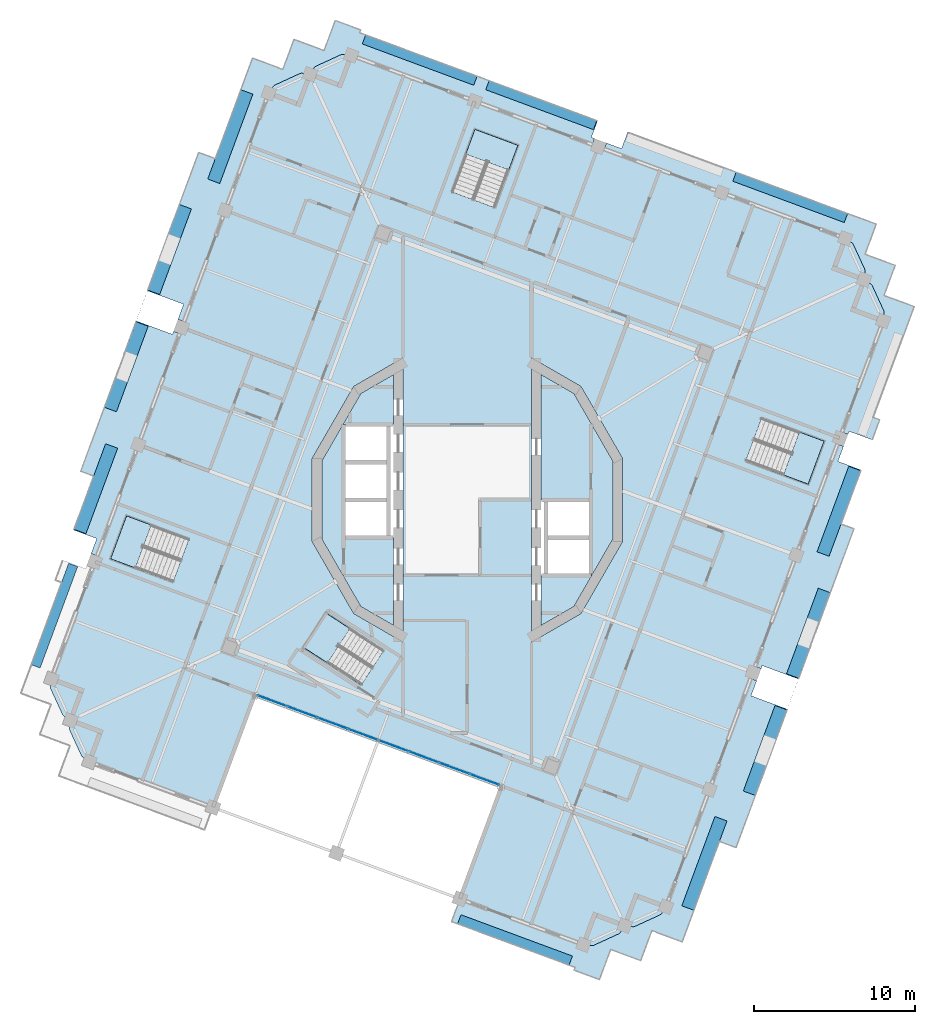
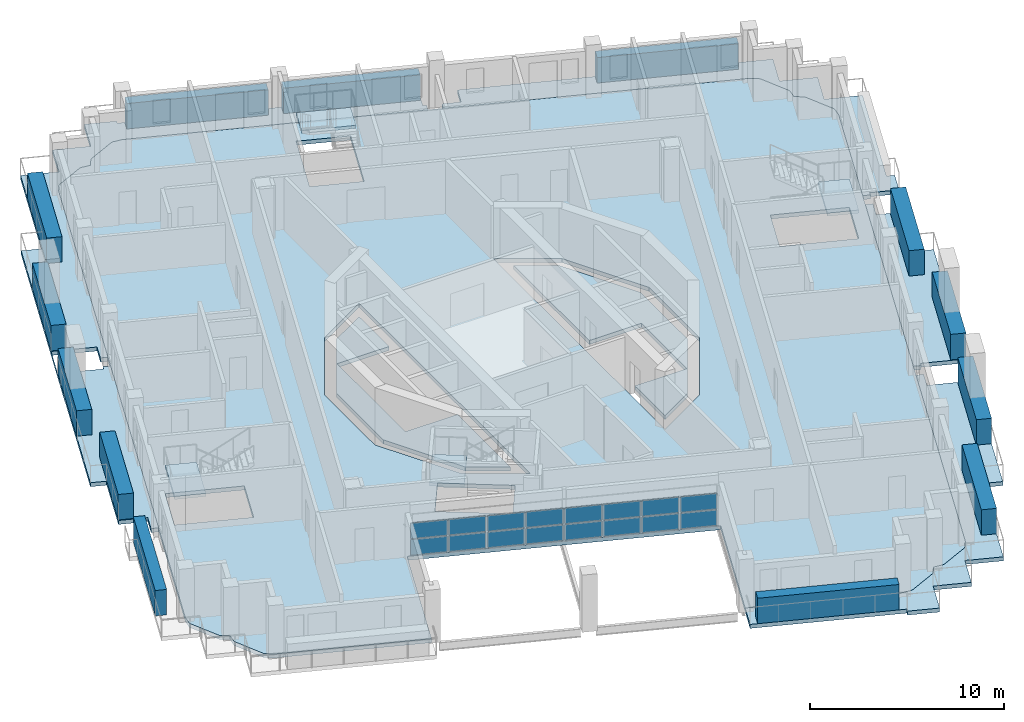
# One storey, part 4 of 19: 29 plates, 10 slabs, 5 elements without a shape of their own.
"""IFC4 building model written with IfcOpenShell, lengths in metres."""

from ifc_helpers import new_model, si_unit, direction, frame, origin, origin_2d, place, context, subcontext, project, spatial, polyline, rectangle, outline, extrude, material, layer, layer_set, type_object, element, aggregate, save


model = new_model("IFC4")

# Units and contexts
model_context = context("Model", 3, precision=1e-05, world=origin(), true_north=direction((0.0, 1.0)))
body_context = subcontext(model_context, "Body", "Model", "MODEL_VIEW")
ifc_project = project(units=[si_unit("LENGTHUNIT", "METRE"), si_unit("AREAUNIT", "SQUARE_METRE"), si_unit("VOLUMEUNIT", "CUBIC_METRE"), si_unit("PLANEANGLEUNIT", "RADIAN"), si_unit("MASSUNIT", "GRAM", prefix="KILO")], contexts=[model_context])

# Site, building, storey
site_placement = place(None, origin())
site = spatial("IfcSite", under=ifc_project, at=site_placement, CompositionType="ELEMENT")
building_placement = place(site_placement, origin())
building = spatial("IfcBuilding", under=site, at=building_placement, Name="Cantera Rosa Tower", CompositionType="ELEMENT")
storey_placement = place(building_placement, frame((0.0, 0.0, 320.5)))
storey = spatial("IfcBuildingStorey", under=building, at=storey_placement, Name="L71", CompositionType="ELEMENT", Elevation=320.5)

# Slabs
ifc_material_1 = material(Name="Concrete C35/45", Category="concrete")
ifc_layer_1 = layer(ifc_material_1, 0.25)
ifc_layer_set_1 = layer_set([ifc_layer_1], Name="COMPOSITE FLOOR SLAB 250 C35/45")
slab_type_1 = type_object("IfcSlabType", Name="COMPOSITE FLOOR SLAB 250 C35/45", PredefinedType="FLOOR", material=ifc_layer_set_1)
slab_1_placement = place(storey_placement, frame((0.0, 0.0, -0.25)))
element("IfcSlab", 1, at=slab_1_placement, inside=storey, type_object=slab_type_1, Name="SLAB L71 floor 1", PredefinedType="FLOOR", context=body_context, shape_type="SweptSolid", body=[
    extrude(outline(polyline([(-7.699951171875, -2.35009765625), (-4.60009765625, -2.35009765625), (-4.60009765625, -7.804931640625), (-6.6318359375, -6.6318359375), (-9.059326171875, -2.427490234375), (-9.059326171875, 2.427490234375), (-6.6318359375, 6.6318359375), (-4.60009765625, 7.804931640625), (-4.60009765625, 4.699951171875), (-7.699951171875, 4.699951171875), (-7.699951171875, 2.35009765625), (-7.699951171875, 0.0), (-7.699951171875, -2.35009765625)])), origin(), (0.0, 0.0, 1.0), 0.25),
])
slab_2_placement = place(storey_placement, frame((0.0, 0.0, -0.25)))
element("IfcSlab", 2, at=slab_2_placement, inside=storey, type_object=slab_type_1, Name="SLAB L71 floor 2", PredefinedType="FLOOR", context=body_context, shape_type="SweptSolid", body=[
    extrude(outline(polyline([(-0.45947265625, -24.838134765625), (2.146728515625, -17.805419921875), (-13.2314453125, -12.106689453125), (-15.83740234375, -19.139404296875), (-23.526611328125, -16.2900390625), (-23.919677734375, -16.031494140625), (-23.944091796875, -16.014892578125), (-23.966552734375, -15.99609375), (-23.987060546875, -15.974853515625), (-24.005615234375, -15.951904296875), (-24.021484375, -15.92724609375), (-24.03515625, -15.901123046875), (-24.743408203125, -14.35888671875), (-24.75439453125, -14.331787109375), (-24.7626953125, -14.303466796875), (-24.76806640625, -14.2744140625), (-24.7705078125, -14.2451171875), (-24.770263671875, -14.2158203125), (-24.76708984375, -14.186279296875), (-24.706787109375, -13.7197265625), (-25.10009765625, -13.461181640625), (-25.12451171875, -13.444580078125), (-25.14697265625, -13.42578125), (-25.16748046875, -13.404541015625), (-25.18603515625, -13.381591796875), (-25.201904296875, -13.35693359375), (-25.215576171875, -13.330810546875), (-25.923828125, -11.788818359375), (-25.934814453125, -11.76123046875), (-25.943115234375, -11.733154296875), (-25.948486328125, -11.7041015625), (-25.950927734375, -11.6748046875), (-25.95068359375, -11.6455078125), (-25.947509765625, -11.6162109375), (-25.88720703125, -11.1494140625), (-12.733154296875, 24.347412109375), (-12.370361328125, 25.32666015625), (-12.11181640625, 25.7197265625), (-12.09521484375, 25.744140625), (-12.076171875, 25.7666015625), (-12.05517578125, 25.787353515625), (-12.0322265625, 25.8056640625), (-12.007568359375, 25.82177734375), (-11.9814453125, 25.835205078125), (-10.439208984375, 26.543701171875), (-10.411865234375, 26.554443359375), (-10.383544921875, 26.562744140625), (-10.354736328125, 26.568115234375), (-10.325439453125, 26.57080078125), (-10.2958984375, 26.5703125), (-10.2666015625, 26.567138671875), (-9.800048828125, 26.507080078125), (-9.54150390625, 26.900146484375), (-9.52490234375, 26.924560546875), (-9.505859375, 26.947021484375), (-9.48486328125, 26.9677734375), (-9.4619140625, 26.986083984375), (-9.437255859375, 27.002197265625), (-9.4111328125, 27.015625), (-7.868896484375, 27.72412109375), (-7.841552734375, 27.735107421875), (-7.813232421875, 27.7431640625), (-7.784423828125, 27.74853515625), (-7.7548828125, 27.751220703125), (-7.7255859375, 27.750732421875), (-7.6962890625, 27.74755859375), (-7.2294921875, 27.6875), (-6.25048828125, 27.32470703125), (23.526611328125, 16.2900390625), (23.919677734375, 16.031494140625), (23.944091796875, 16.014892578125), (23.966552734375, 15.99609375), (23.987060546875, 15.974853515625), (24.005615234375, 15.951904296875), (24.021484375, 15.92724609375), (24.03515625, 15.901123046875), (24.743408203125, 14.35888671875), (24.75439453125, 14.331787109375), (24.7626953125, 14.303466796875), (24.76806640625, 14.2744140625), (24.7705078125, 14.2451171875), (24.770263671875, 14.2158203125), (24.76708984375, 14.186279296875), (24.706787109375, 13.7197265625), (25.10009765625, 13.461181640625), (25.12451171875, 13.444580078125), (25.14697265625, 13.42578125), (25.16748046875, 13.404541015625), (25.18603515625, 13.381591796875), (25.201904296875, 13.35693359375), (25.215576171875, 13.330810546875), (25.923828125, 11.788818359375), (25.934814453125, 11.76123046875), (25.943115234375, 11.733154296875), (25.948486328125, 11.7041015625), (25.950927734375, 11.6748046875), (25.95068359375, 11.6455078125), (25.947509765625, 11.6162109375), (25.88720703125, 11.1494140625), (12.733154296875, -24.347412109375), (12.370361328125, -25.32666015625), (12.11181640625, -25.7197265625), (12.09521484375, -25.744140625), (12.076171875, -25.7666015625), (12.05517578125, -25.787353515625), (12.0322265625, -25.8056640625), (12.007568359375, -25.82177734375), (11.9814453125, -25.835205078125), (10.439208984375, -26.543701171875), (10.411865234375, -26.554443359375), (10.383544921875, -26.562744140625), (10.354736328125, -26.568115234375), (10.325439453125, -26.57080078125), (10.2958984375, -26.5703125), (10.2666015625, -26.567138671875), (9.800048828125, -26.507080078125), (9.54150390625, -26.900146484375), (9.52490234375, -26.924560546875), (9.505859375, -26.947021484375), (9.48486328125, -26.9677734375), (9.4619140625, -26.986083984375), (9.437255859375, -27.002197265625), (9.4111328125, -27.015625), (7.868896484375, -27.72412109375), (7.841552734375, -27.735107421875), (7.813232421875, -27.7431640625), (7.784423828125, -27.74853515625), (7.7548828125, -27.751220703125), (7.7255859375, -27.750732421875), (7.6962890625, -27.74755859375), (7.2294921875, -27.6875), (6.25048828125, -27.32470703125), (-0.45947265625, -24.838134765625)]), holes=[polyline([(-5.2158203125, -9.368408203125), (-8.581298828125, -7.1826171875), (-9.97021484375, -9.3212890625), (-6.6044921875, -11.507080078125), (-5.2158203125, -9.368408203125)]), polyline([(-17.335693359375, -2.427490234375), (-21.2158203125, -0.989501953125), (-22.206298828125, -3.662109375), (-18.325927734375, -5.099853515625), (-17.335693359375, -2.427490234375)]), polyline([(-7.071044921875, 7.071044921875), (-9.6591796875, 2.588134765625), (-9.6591796875, -2.588134765625), (-7.071044921875, -7.071044921875), (-4.0, -8.843994140625), (-4.0, 8.843994140625), (-7.071044921875, 7.071044921875)]), polyline([(7.071044921875, -7.071044921875), (9.6591796875, -2.588134765625), (9.6591796875, 2.588134765625), (7.071044921875, 7.071044921875), (4.0, 8.843994140625), (4.0, -8.843994140625), (7.071044921875, -7.071044921875)]), polyline([(21.2158203125, 0.989501953125), (22.206298828125, 3.662109375), (18.325927734375, 5.099853515625), (17.335693359375, 2.427490234375), (21.2158203125, 0.989501953125)]), polyline([(1.70654296875, 18.203369140625), (3.14453125, 22.08349609375), (0.47216796875, 23.07373046875), (-0.9658203125, 19.193603515625), (1.70654296875, 18.203369140625)])]), origin(), (0.0, 0.0, 1.0), 0.25),
])
slab_3_placement = place(storey_placement, frame((0.0, 0.0, -0.25)))
element("IfcSlab", 3, at=slab_3_placement, inside=storey, type_object=slab_type_1, Name="SLAB L71 floor 3", PredefinedType="FLOOR", context=body_context, shape_type="SweptSolid", body=[
    extrude(outline(polyline([(7.699951171875, -2.35009765625), (7.699951171875, 0.0), (4.60009765625, 0.0), (4.60009765625, 7.804931640625), (6.6318359375, 6.6318359375), (9.059326171875, 2.427490234375), (9.059326171875, -2.427490234375), (6.6318359375, -6.6318359375), (4.60009765625, -7.804931640625), (4.60009765625, -4.699951171875), (7.699951171875, -4.699951171875), (7.699951171875, -2.35009765625)])), origin(), (0.0, 0.0, 1.0), 0.25),
])

# Curtain wall, plates
ifc_material_2 = material(Name="Aluminium frame with clear glass", Category="aluminium")
curtain_wall_type = type_object("IfcCurtainWallType", Name="CW1 TERRACE POCKET GLAZING", PredefinedType="NOTDEFINED", material=ifc_material_2)
curtain_wall_placement = place(storey_placement, origin())
curtain_wall = element("IfcCurtainWall", 4, at=curtain_wall_placement, inside=storey, type_object=curtain_wall_type, Name="CW1 CW1", PredefinedType="NOTDEFINED")
ifc_material_3 = material(Name="Aluminium frame with clear glass", Category="aluminium")
ifc_layer_2 = layer(ifc_material_3, 0.028076171875)
ifc_layer_set_2 = layer_set([ifc_layer_2], Name="CW-PANEL POCKET")
plate_type_1 = type_object("IfcPlateType", Name="CW-PANEL POCKET", PredefinedType="CURTAIN_PANEL", material=ifc_layer_set_2)
plate_1_placement = place(storey_placement, frame((-12.153564453125, -12.506103515625, 0.06005859375), z_axis=(0.0, 0.0, 1.0), x_axis=(0.937686936924, -0.347481234489, 0.0)))
plate_1 = element("IfcPlate", 5, at=plate_1_placement, type_object=plate_type_1, Name="CW1 panel 1.1", PredefinedType="CURTAIN_PANEL", context=body_context, shape_type="SweptSolid", body=[
    extrude(rectangle(XDim=1.9287109375, YDim=0.028076171875, at=origin_2d()), origin(), (0.0, 0.0, 1.0), 0.97900390625),
])
plate_2_placement = place(storey_placement, frame((-12.153564453125, -12.506103515625, 1.098876953125), z_axis=(0.0, 0.0, 1.0), x_axis=(0.937686936924, -0.347481234489, 0.0)))
plate_2 = element("IfcPlate", 6, at=plate_2_placement, type_object=plate_type_1, Name="CW1 panel 1.2", PredefinedType="CURTAIN_PANEL", context=body_context, shape_type="SweptSolid", body=[
    extrude(rectangle(XDim=1.9287109375, YDim=0.028076171875, at=origin_2d()), origin(), (0.0, 0.0, 1.0), 0.97900390625),
])
plate_3_placement = place(storey_placement, frame((-10.274658203125, -13.202392578125, 0.06005859375), z_axis=(0.0, 0.0, 1.0), x_axis=(0.937686936924, -0.347481234489, 0.0)))
plate_3 = element("IfcPlate", 7, at=plate_3_placement, type_object=plate_type_1, Name="CW1 panel 2.1", PredefinedType="CURTAIN_PANEL", context=body_context, shape_type="SweptSolid", body=[
    extrude(rectangle(XDim=1.958740234375, YDim=0.028076171875, at=origin_2d()), origin(), (0.0, 0.0, 1.0), 0.97900390625),
])
plate_4_placement = place(storey_placement, frame((-10.274658203125, -13.202392578125, 1.098876953125), z_axis=(0.0, 0.0, 1.0), x_axis=(0.937686936924, -0.347481234489, 0.0)))
plate_4 = element("IfcPlate", 8, at=plate_4_placement, type_object=plate_type_1, Name="CW1 panel 2.2", PredefinedType="CURTAIN_PANEL", context=body_context, shape_type="SweptSolid", body=[
    extrude(rectangle(XDim=1.958740234375, YDim=0.028076171875, at=origin_2d()), origin(), (0.0, 0.0, 1.0), 0.97900390625),
])
plate_5_placement = place(storey_placement, frame((-8.3818359375, -13.90380859375, 0.06005859375), z_axis=(0.0, 0.0, 1.0), x_axis=(0.937686936924, -0.347481234489, 0.0)))
plate_5 = element("IfcPlate", 9, at=plate_5_placement, type_object=plate_type_1, Name="CW1 panel 3.1", PredefinedType="CURTAIN_PANEL", context=body_context, shape_type="SweptSolid", body=[
    extrude(rectangle(XDim=1.958740234375, YDim=0.028076171875, at=origin_2d()), origin(), (0.0, 0.0, 1.0), 0.97900390625),
])
plate_6_placement = place(storey_placement, frame((-8.3818359375, -13.90380859375, 1.098876953125), z_axis=(0.0, 0.0, 1.0), x_axis=(0.937686936924, -0.347481234489, 0.0)))
plate_6 = element("IfcPlate", 10, at=plate_6_placement, type_object=plate_type_1, Name="CW1 panel 3.2", PredefinedType="CURTAIN_PANEL", context=body_context, shape_type="SweptSolid", body=[
    extrude(rectangle(XDim=1.958740234375, YDim=0.028076171875, at=origin_2d()), origin(), (0.0, 0.0, 1.0), 0.97900390625),
])
plate_7_placement = place(storey_placement, frame((-6.48876953125, -14.60546875, 0.06005859375), z_axis=(0.0, 0.0, 1.0), x_axis=(0.937686936924, -0.347481234489, 0.0)))
plate_7 = element("IfcPlate", 11, at=plate_7_placement, type_object=plate_type_1, Name="CW1 panel 4.1", PredefinedType="CURTAIN_PANEL", context=body_context, shape_type="SweptSolid", body=[
    extrude(rectangle(XDim=1.958740234375, YDim=0.028076171875, at=origin_2d()), origin(), (0.0, 0.0, 1.0), 0.97900390625),
])
plate_8_placement = place(storey_placement, frame((-6.48876953125, -14.60546875, 1.098876953125), z_axis=(0.0, 0.0, 1.0), x_axis=(0.937686936924, -0.347481234489, 0.0)))
plate_8 = element("IfcPlate", 12, at=plate_8_placement, type_object=plate_type_1, Name="CW1 panel 4.2", PredefinedType="CURTAIN_PANEL", context=body_context, shape_type="SweptSolid", body=[
    extrude(rectangle(XDim=1.958740234375, YDim=0.028076171875, at=origin_2d()), origin(), (0.0, 0.0, 1.0), 0.97900390625),
])
plate_9_placement = place(storey_placement, frame((-4.595947265625, -15.306884765625, 0.06005859375), z_axis=(0.0, 0.0, 1.0), x_axis=(0.937686936924, -0.347481234489, 0.0)))
plate_9 = element("IfcPlate", 13, at=plate_9_placement, type_object=plate_type_1, Name="CW1 panel 5.1", PredefinedType="CURTAIN_PANEL", context=body_context, shape_type="SweptSolid", body=[
    extrude(rectangle(XDim=1.958740234375, YDim=0.028076171875, at=origin_2d()), origin(), (0.0, 0.0, 1.0), 0.97900390625),
])
plate_10_placement = place(storey_placement, frame((-4.595947265625, -15.306884765625, 1.098876953125), z_axis=(0.0, 0.0, 1.0), x_axis=(0.937686936924, -0.347481234489, 0.0)))
plate_10 = element("IfcPlate", 14, at=plate_10_placement, type_object=plate_type_1, Name="CW1 panel 5.2", PredefinedType="CURTAIN_PANEL", context=body_context, shape_type="SweptSolid", body=[
    extrude(rectangle(XDim=1.958740234375, YDim=0.028076171875, at=origin_2d()), origin(), (0.0, 0.0, 1.0), 0.97900390625),
])
plate_11_placement = place(storey_placement, frame((-2.702880859375, -16.00830078125, 0.06005859375), z_axis=(0.0, 0.0, 1.0), x_axis=(0.937686936924, -0.347481234489, 0.0)))
plate_11 = element("IfcPlate", 15, at=plate_11_placement, type_object=plate_type_1, Name="CW1 panel 6.1", PredefinedType="CURTAIN_PANEL", context=body_context, shape_type="SweptSolid", body=[
    extrude(rectangle(XDim=1.958740234375, YDim=0.028076171875, at=origin_2d()), origin(), (0.0, 0.0, 1.0), 0.97900390625),
])
plate_12_placement = place(storey_placement, frame((-2.702880859375, -16.00830078125, 1.098876953125), z_axis=(0.0, 0.0, 1.0), x_axis=(0.937686936924, -0.347481234489, 0.0)))
plate_12 = element("IfcPlate", 16, at=plate_12_placement, type_object=plate_type_1, Name="CW1 panel 6.2", PredefinedType="CURTAIN_PANEL", context=body_context, shape_type="SweptSolid", body=[
    extrude(rectangle(XDim=1.958740234375, YDim=0.028076171875, at=origin_2d()), origin(), (0.0, 0.0, 1.0), 0.97900390625),
])
plate_13_placement = place(storey_placement, frame((-0.81005859375, -16.709716796875, 0.06005859375), z_axis=(0.0, 0.0, 1.0), x_axis=(0.937686936924, -0.347481234489, 0.0)))
plate_13 = element("IfcPlate", 17, at=plate_13_placement, type_object=plate_type_1, Name="CW1 panel 7.1", PredefinedType="CURTAIN_PANEL", context=body_context, shape_type="SweptSolid", body=[
    extrude(rectangle(XDim=1.958740234375, YDim=0.028076171875, at=origin_2d()), origin(), (0.0, 0.0, 1.0), 0.97900390625),
])
plate_14_placement = place(storey_placement, frame((-0.81005859375, -16.709716796875, 1.098876953125), z_axis=(0.0, 0.0, 1.0), x_axis=(0.937686936924, -0.347481234489, 0.0)))
plate_14 = element("IfcPlate", 18, at=plate_14_placement, type_object=plate_type_1, Name="CW1 panel 7.2", PredefinedType="CURTAIN_PANEL", context=body_context, shape_type="SweptSolid", body=[
    extrude(rectangle(XDim=1.958740234375, YDim=0.028076171875, at=origin_2d()), origin(), (0.0, 0.0, 1.0), 0.97900390625),
])
plate_15_placement = place(storey_placement, frame((1.06884765625, -17.406005859375, 0.06005859375), z_axis=(0.0, 0.0, 1.0), x_axis=(0.937686936924, -0.347481234489, 0.0)))
plate_15 = element("IfcPlate", 19, at=plate_15_placement, type_object=plate_type_1, Name="CW1 panel 8.1", PredefinedType="CURTAIN_PANEL", context=body_context, shape_type="SweptSolid", body=[
    extrude(rectangle(XDim=1.9287109375, YDim=0.028076171875, at=origin_2d()), origin(), (0.0, 0.0, 1.0), 0.97900390625),
])
plate_16_placement = place(storey_placement, frame((1.06884765625, -17.406005859375, 1.098876953125), z_axis=(0.0, 0.0, 1.0), x_axis=(0.937686936924, -0.347481234489, 0.0)))
plate_16 = element("IfcPlate", 20, at=plate_16_placement, type_object=plate_type_1, Name="CW1 panel 8.2", PredefinedType="CURTAIN_PANEL", context=body_context, shape_type="SweptSolid", body=[
    extrude(rectangle(XDim=1.9287109375, YDim=0.028076171875, at=origin_2d()), origin(), (0.0, 0.0, 1.0), 0.97900390625),
])
aggregate(curtain_wall, [plate_1, plate_2, plate_3, plate_4, plate_5, plate_6, plate_7, plate_8, plate_9, plate_10, plate_11, plate_12, plate_13, plate_14, plate_15, plate_16])

# Slabs
ifc_material_4 = material(Name="Concrete C35/45", Category="concrete")
ifc_layer_3 = layer(ifc_material_4, 0.25)
ifc_layer_set_3 = layer_set([ifc_layer_3], Name="LOGGIA SLAB 250 C35/45")
slab_type_2 = type_object("IfcSlabType", Name="LOGGIA SLAB 250 C35/45", PredefinedType="FLOOR", material=ifc_layer_set_3)
slab_4_placement = place(storey_placement, frame((0.0, 0.0, -0.25)))
element("IfcSlab", 21, at=slab_4_placement, inside=storey, type_object=slab_type_2, Name="LOGGIA SLAB L71 2", PredefinedType="FLOOR", context=body_context, shape_type="SweptSolid", body=[
    extrude(outline(polyline([(-21.37109375, 9.07568359375), (-21.38330078125, 9.080078125), (-16.729736328125, 21.637451171875), (-15.69287109375, 21.253173828125), (-13.373779296875, 27.511474609375), (-11.779541015625, 26.920654296875), (-11.7841796875, 26.908447265625), (-11.490478515625, 26.799560546875), (-11.381591796875, 27.09326171875), (-10.795654296875, 28.6748046875), (-9.2138671875, 28.0888671875), (-8.920166015625, 27.97998046875), (-8.22509765625, 29.85546875), (-6.6435546875, 29.269287109375), (-6.70849609375, 29.093994140625), (-0.42578125, 26.765869140625), (2.38720703125, 25.723388671875), (7.26318359375, 23.91650390625), (8.10693359375, 23.603759765625), (7.724853515625, 22.572265625), (7.912353515625, 22.502685546875), (7.7734375, 22.127685546875), (-6.25048828125, 27.32470703125), (-7.2294921875, 27.6875), (-7.6962890625, 27.74755859375), (-7.7255859375, 27.750732421875), (-7.7548828125, 27.751220703125), (-7.784423828125, 27.74853515625), (-7.813232421875, 27.7431640625), (-7.841552734375, 27.735107421875), (-7.868896484375, 27.72412109375), (-9.4111328125, 27.015625), (-9.437255859375, 27.002197265625), (-9.4619140625, 26.986083984375), (-9.48486328125, 26.9677734375), (-9.505859375, 26.947021484375), (-9.52490234375, 26.924560546875), (-9.54150390625, 26.900146484375), (-9.800048828125, 26.507080078125), (-10.2666015625, 26.567138671875), (-10.2958984375, 26.5703125), (-10.325439453125, 26.57080078125), (-10.354736328125, 26.568115234375), (-10.383544921875, 26.562744140625), (-10.411865234375, 26.554443359375), (-10.439208984375, 26.543701171875), (-11.9814453125, 25.835205078125), (-12.007568359375, 25.82177734375), (-12.0322265625, 25.8056640625), (-12.05517578125, 25.787353515625), (-12.076171875, 25.7666015625), (-12.09521484375, 25.744140625), (-12.11181640625, 25.7197265625), (-12.370361328125, 25.32666015625), (-12.733154296875, 24.347412109375), (-17.63818359375, 11.111328125), (-18.01318359375, 11.250244140625), (-17.665771484375, 12.18798828125), (-19.916259765625, 13.02197265625), (-20.611083984375, 11.146484375), (-18.360595703125, 10.3125), (-18.291259765625, 10.5), (-17.916015625, 10.361083984375), (-23.044921875, -3.47900390625), (-23.419921875, -3.340087890625), (-23.072509765625, -2.40234375), (-24.51220703125, -1.868896484375), (-23.265869140625, 1.494384765625), (-24.0703125, 1.79248046875), (-21.37109375, 9.07568359375)])), origin(), (0.0, 0.0, 1.0), 0.25),
])
slab_5_placement = place(storey_placement, frame((0.0, 0.0, -0.25)))
element("IfcSlab", 22, at=slab_5_placement, inside=storey, type_object=slab_type_2, Name="LOGGIA SLAB L71 3", PredefinedType="FLOOR", context=body_context, shape_type="SweptSolid", body=[
    extrude(outline(polyline([(13.373779296875, -27.511474609375), (11.779541015625, -26.920654296875), (11.7841796875, -26.908447265625), (11.490478515625, -26.799560546875), (11.381591796875, -27.09326171875), (10.795654296875, -28.6748046875), (9.2138671875, -28.0888671875), (8.920166015625, -27.97998046875), (8.22509765625, -29.85546875), (6.6435546875, -29.269287109375), (6.70849609375, -29.093994140625), (0.42578125, -26.765869140625), (-0.980712890625, -26.24462890625), (-0.45947265625, -24.838134765625), (6.25048828125, -27.32470703125), (7.2294921875, -27.6875), (7.6962890625, -27.74755859375), (7.7255859375, -27.750732421875), (7.7548828125, -27.751220703125), (7.784423828125, -27.74853515625), (7.813232421875, -27.7431640625), (7.841552734375, -27.735107421875), (7.868896484375, -27.72412109375), (9.4111328125, -27.015625), (9.437255859375, -27.002197265625), (9.4619140625, -26.986083984375), (9.48486328125, -26.9677734375), (9.505859375, -26.947021484375), (9.52490234375, -26.924560546875), (9.54150390625, -26.900146484375), (9.800048828125, -26.507080078125), (10.2666015625, -26.567138671875), (10.2958984375, -26.5703125), (10.325439453125, -26.57080078125), (10.354736328125, -26.568115234375), (10.383544921875, -26.562744140625), (10.411865234375, -26.554443359375), (10.439208984375, -26.543701171875), (11.9814453125, -25.835205078125), (12.007568359375, -25.82177734375), (12.0322265625, -25.8056640625), (12.05517578125, -25.787353515625), (12.076171875, -25.7666015625), (12.09521484375, -25.744140625), (12.11181640625, -25.7197265625), (12.370361328125, -25.32666015625), (12.733154296875, -24.347412109375), (17.63818359375, -11.111328125), (18.01318359375, -11.250244140625), (17.665771484375, -12.18798828125), (19.916259765625, -13.02197265625), (20.611083984375, -11.146484375), (18.360595703125, -10.3125), (18.291259765625, -10.5), (17.916015625, -10.361083984375), (23.044921875, 3.47900390625), (23.419921875, 3.340087890625), (23.072509765625, 2.40234375), (24.51220703125, 1.868896484375), (23.265869140625, -1.494384765625), (24.0703125, -1.79248046875), (21.37109375, -9.07568359375), (21.38330078125, -9.080078125), (16.729736328125, -21.637451171875), (15.69287109375, -21.253173828125), (13.373779296875, -27.511474609375)])), origin(), (0.0, 0.0, 1.0), 0.25),
])
slab_6_placement = place(storey_placement, frame((0.0, 0.0, -0.25)))
element("IfcSlab", 23, at=slab_6_placement, inside=storey, type_object=slab_type_2, Name="LOGGIA SLAB L71 4", PredefinedType="FLOOR", context=body_context, shape_type="SweptSolid", body=[
    extrude(outline(polyline([(17.76513671875, 20.024658203125), (24.047607421875, 17.696533203125), (25.454345703125, 17.17529296875), (24.93310546875, 15.768798828125), (24.75927734375, 15.300048828125), (25.22802734375, 15.126220703125), (26.634765625, 14.60498046875), (26.11328125, 13.198486328125), (25.939697265625, 12.729736328125), (26.408447265625, 12.555908203125), (26.410400390625, 12.561279296875), (27.822509765625, 12.0380859375), (25.268310546875, 5.145751953125), (25.671142578125, 4.996337890625), (25.20703125, 3.744384765625), (23.767578125, 4.27783203125), (23.697998046875, 4.09033203125), (23.322998046875, 4.229248046875), (25.88720703125, 11.1494140625), (25.947509765625, 11.6162109375), (25.95068359375, 11.6455078125), (25.950927734375, 11.6748046875), (25.948486328125, 11.7041015625), (25.943115234375, 11.733154296875), (25.934814453125, 11.76123046875), (25.923828125, 11.788818359375), (25.215576171875, 13.330810546875), (25.201904296875, 13.35693359375), (25.18603515625, 13.381591796875), (25.16748046875, 13.404541015625), (25.14697265625, 13.42578125), (25.12451171875, 13.444580078125), (25.10009765625, 13.461181640625), (24.706787109375, 13.7197265625), (24.76708984375, 14.186279296875), (24.770263671875, 14.2158203125), (24.7705078125, 14.2451171875), (24.76806640625, 14.2744140625), (24.7626953125, 14.303466796875), (24.75439453125, 14.331787109375), (24.743408203125, 14.35888671875), (24.03515625, 15.901123046875), (24.021484375, 15.92724609375), (24.005615234375, 15.951904296875), (23.987060546875, 15.974853515625), (23.966552734375, 15.99609375), (23.944091796875, 16.014892578125), (23.919677734375, 16.031494140625), (23.526611328125, 16.2900390625), (8.5234375, 21.849853515625), (8.66259765625, 22.224853515625), (9.60009765625, 21.87744140625), (9.982421875, 22.90869140625), (10.076171875, 22.8740234375), (14.9521484375, 21.067138671875), (17.76513671875, 20.024658203125)])), origin(), (0.0, 0.0, 1.0), 0.25),
])

# Plates
ifc_material_5 = material(Name="Cantera stone planter with soil", Category="masonry")
plate_type_2 = type_object("IfcPlateType", Name="PLANTER 600", PredefinedType="USERDEFINED", material=ifc_material_5)
plate_17_placement = place(storey_placement, frame((20.098876953125, 18.83984375, 0.0), z_axis=(0.0, 0.0, 1.0), x_axis=(-0.937686936924, 0.347481234489, 0.0)))
element("IfcPlate", 24, at=plate_17_placement, inside=storey, type_object=plate_type_2, Name="PLANTER L71-01", ObjectType="PLANTER", PredefinedType="USERDEFINED", context=body_context, shape_type="SweptSolid", body=[
    extrude(rectangle(XDim=7.39990234375, YDim=0.60009765625, at=origin_2d()), origin(), (0.0, 0.0, 1.0), 1.60009765625),
])
plate_18_placement = place(storey_placement, frame((4.603759765625, 24.58203125, 0.0), z_axis=(0.0, 0.0, 1.0), x_axis=(-0.937686936924, 0.347481234489, 0.0)))
element("IfcPlate", 25, at=plate_18_placement, inside=storey, type_object=plate_type_2, Name="PLANTER L71-03", ObjectType="PLANTER", PredefinedType="USERDEFINED", context=body_context, shape_type="SweptSolid", body=[
    extrude(rectangle(XDim=7.14990234375, YDim=0.60009765625, at=origin_2d()), origin(), (0.0, 0.0, 1.0), 1.60009765625),
])
plate_19_placement = place(storey_placement, frame((-2.968017578125, 27.387939453125, 0.0), z_axis=(0.0, 0.0, 1.0), x_axis=(-0.937686936924, 0.347481234489, 0.0)))
element("IfcPlate", 26, at=plate_19_placement, inside=storey, type_object=plate_type_2, Name="PLANTER L71-04", ObjectType="PLANTER", PredefinedType="USERDEFINED", context=body_context, shape_type="SweptSolid", body=[
    extrude(rectangle(XDim=7.39990234375, YDim=0.60009765625, at=origin_2d()), origin(), (0.0, 0.0, 1.0), 1.60009765625),
])
plate_20_placement = place(storey_placement, frame((-25.709716796875, -7.199951171875, 0.0), z_axis=(0.0, 0.0, 1.0), x_axis=(-0.347481234489, -0.937686936924, 0.0)))
element("IfcPlate", 27, at=plate_20_placement, inside=storey, type_object=plate_type_2, Name="PLANTER L71-09", ObjectType="PLANTER", PredefinedType="USERDEFINED", context=body_context, shape_type="SweptSolid", body=[
    extrude(rectangle(XDim=6.72998046875, YDim=0.60009765625, at=origin_2d()), origin(), (0.0, 0.0, 1.0), 1.60009765625),
])
plate_21_placement = place(storey_placement, frame((2.968017578125, -27.387939453125, 0.0), z_axis=(0.0, 0.0, 1.0), x_axis=(0.937686936924, -0.347481234489, 0.0)))
element("IfcPlate", 28, at=plate_21_placement, inside=storey, type_object=plate_type_2, Name="PLANTER L71-13", ObjectType="PLANTER", PredefinedType="USERDEFINED", context=body_context, shape_type="SweptSolid", body=[
    extrude(rectangle(XDim=7.39990234375, YDim=0.60009765625, at=origin_2d()), origin(), (0.0, 0.0, 1.0), 1.60009765625),
])
ifc_material_6 = material(Name="Cantera stone planter with soil", Category="masonry")
plate_type_3 = type_object("IfcPlateType", Name="PLANTER 800", PredefinedType="USERDEFINED", material=ifc_material_6)
plate_22_placement = place(storey_placement, frame((-14.758544921875, 22.623046875, 0.0), z_axis=(0.0, 0.0, 1.0), x_axis=(-0.347481234489, -0.937686936924, 0.0)))
element("IfcPlate", 29, at=plate_22_placement, inside=storey, type_object=plate_type_3, Name="PLANTER L71-05", ObjectType="PLANTER", PredefinedType="USERDEFINED", context=body_context, shape_type="SweptSolid", body=[
    extrude(rectangle(XDim=5.929931640625, YDim=0.800048828125, at=origin_2d()), origin(), (0.0, 0.0, 1.0), 1.60009765625),
])
for number, where, z_axis, x_axis, name in (
    (30, (-18.54248046875, 15.594970703125, 0.0), (0.0, 0.0, 1.0), (-0.347481234489, -0.937686936924, 0.0), "PLANTER L71-06"),
    (31, (-21.23388671875, 8.295166015625, 0.0), (0.0, 0.0, 1.0), (-0.347481234489, -0.937686936924, 0.0), "PLANTER L71-07"),
    (32, (-23.1328125, 0.701904296875, 0.0), (0.0, 0.0, 1.0), (-0.347481234489, -0.937686936924, 0.0), "PLANTER L71-08"),
):
    element("IfcPlate", number, at=place(storey_placement, frame(where, z_axis=z_axis, x_axis=x_axis)), inside=storey, type_object=plate_type_3, Name=name, ObjectType="PLANTER", PredefinedType="USERDEFINED", context=body_context, shape_type="SweptSolid", body=[
        extrude(rectangle(XDim=5.679931640625, YDim=0.800048828125, at=origin_2d()), origin(), (0.0, 0.0, 1.0), 1.60009765625),
    ])
plate_23_placement = place(storey_placement, frame((14.758544921875, -22.623046875, 0.0), z_axis=(0.0, 0.0, 1.0), x_axis=(0.347481234489, 0.937686936924, 0.0)))
element("IfcPlate", 33, at=plate_23_placement, inside=storey, type_object=plate_type_3, Name="PLANTER L71-14", ObjectType="PLANTER", PredefinedType="USERDEFINED", context=body_context, shape_type="SweptSolid", body=[
    extrude(rectangle(XDim=5.929931640625, YDim=0.800048828125, at=origin_2d()), origin(), (0.0, 0.0, 1.0), 1.60009765625),
])
for number, where, z_axis, x_axis, name in (
    (34, (18.54248046875, -15.594970703125, 0.0), (0.0, 0.0, 1.0), (0.347481234489, 0.937686936924, 0.0), "PLANTER L71-15"),
    (35, (21.23388671875, -8.295166015625, 0.0), (0.0, 0.0, 1.0), (0.347481234489, 0.937686936924, 0.0), "PLANTER L71-16"),
    (36, (23.1328125, -0.701904296875, 0.0), (0.0, 0.0, 1.0), (0.347481234489, 0.937686936924, 0.0), "PLANTER L71-17"),
):
    element("IfcPlate", number, at=place(storey_placement, frame(where, z_axis=z_axis, x_axis=x_axis)), inside=storey, type_object=plate_type_3, Name=name, ObjectType="PLANTER", PredefinedType="USERDEFINED", context=body_context, shape_type="SweptSolid", body=[
        extrude(rectangle(XDim=5.679931640625, YDim=0.800048828125, at=origin_2d()), origin(), (0.0, 0.0, 1.0), 1.60009765625),
    ])

# Stair, slab
ifc_material_7 = material(Name="Concrete C35/45", Category="concrete")
stair_type_1 = type_object("IfcStairType", Name="EXIT STAIR 1350 DOGLEG", PredefinedType="HALF_TURN_STAIR", material=ifc_material_7)
stair_1_placement = place(storey_placement, origin())
stair_1 = element("IfcStair", 37, at=stair_1_placement, inside=storey, type_object=stair_type_1, Name="L71 ST-61", PredefinedType="HALF_TURN_STAIR")
ifc_material_8 = material(Name="Concrete C35/45", Category="concrete")
ifc_layer_4 = layer(ifc_material_8, 0.199951171875)
ifc_layer_set_4 = layer_set([ifc_layer_4], Name="STAIR LANDING 200")
slab_type_3 = type_object("IfcSlabType", Name="STAIR LANDING 200", PredefinedType="LANDING", material=ifc_layer_set_4)
slab_7_placement = place(storey_placement, frame((0.0, 0.0, 1.60009765625)))
slab_7 = element("IfcSlab", 38, at=slab_7_placement, type_object=slab_type_3, Name="ST-61 landing 1", PredefinedType="LANDING", context=body_context, shape_type="SweptSolid", body=[
    extrude(outline(polyline([(19.67626953125, 1.56005859375), (21.2158203125, 0.989501953125), (22.206298828125, 3.661865234375), (20.66650390625, 4.232421875), (19.67626953125, 1.56005859375)])), origin(), (0.0, 0.0, 1.0), 0.199951171875),
])
aggregate(stair_1, [slab_7])

stair_2_placement = place(storey_placement, origin())
stair_2 = element("IfcStair", 39, at=stair_2_placement, inside=storey, type_object=stair_type_1, Name="L71 ST-62", PredefinedType="HALF_TURN_STAIR")
slab_8_placement = place(storey_placement, frame((0.0, 0.0, 1.60009765625)))
slab_8 = element("IfcSlab", 40, at=slab_8_placement, type_object=slab_type_3, Name="ST-62 landing 1", PredefinedType="LANDING", context=body_context, shape_type="SweptSolid", body=[
    extrude(outline(polyline([(2.573974609375, 20.543701171875), (3.14453125, 22.08349609375), (0.47216796875, 23.07373046875), (-0.098388671875, 21.5341796875), (2.573974609375, 20.543701171875)])), origin(), (0.0, 0.0, 1.0), 0.199951171875),
])
aggregate(stair_2, [slab_8])

stair_3_placement = place(storey_placement, origin())
stair_3 = element("IfcStair", 41, at=stair_3_placement, inside=storey, type_object=stair_type_1, Name="L71 ST-63", PredefinedType="HALF_TURN_STAIR")
slab_9_placement = place(storey_placement, frame((0.0, 0.0, 1.60009765625)))
slab_9 = element("IfcSlab", 42, at=slab_9_placement, type_object=slab_type_3, Name="ST-63 landing 1", PredefinedType="LANDING", context=body_context, shape_type="SweptSolid", body=[
    extrude(outline(polyline([(-19.67626953125, -1.56005859375), (-21.2158203125, -0.989501953125), (-22.206298828125, -3.661865234375), (-20.66650390625, -4.232421875), (-19.67626953125, -1.56005859375)])), origin(), (0.0, 0.0, 1.0), 0.199951171875),
])
aggregate(stair_3, [slab_9])

ifc_material_9 = material(Name="Concrete C35/45", Category="concrete")
stair_type_2 = type_object("IfcStairType", Name="EXIT STAIR 1200 DOGLEG", PredefinedType="HALF_TURN_STAIR", material=ifc_material_9)
stair_4_placement = place(storey_placement, origin())
stair_4 = element("IfcStair", 43, at=stair_4_placement, inside=storey, type_object=stair_type_2, Name="L71 ST-64", PredefinedType="HALF_TURN_STAIR")
slab_10_placement = place(storey_placement, frame((0.0, 0.0, 1.60009765625)))
slab_10 = element("IfcSlab", 44, at=slab_10_placement, type_object=slab_type_3, Name="ST-64 landing 1", PredefinedType="LANDING", context=body_context, shape_type="SweptSolid", body=[
    extrude(outline(polyline([(-7.30908203125, -8.009033203125), (-8.81201171875, -7.032958984375), (-10.20068359375, -9.171630859375), (-8.69775390625, -10.1474609375), (-7.30908203125, -8.009033203125)])), origin(), (0.0, 0.0, 1.0), 0.199951171875),
])
aggregate(stair_4, [slab_10])

save(model, "model.ifc")
